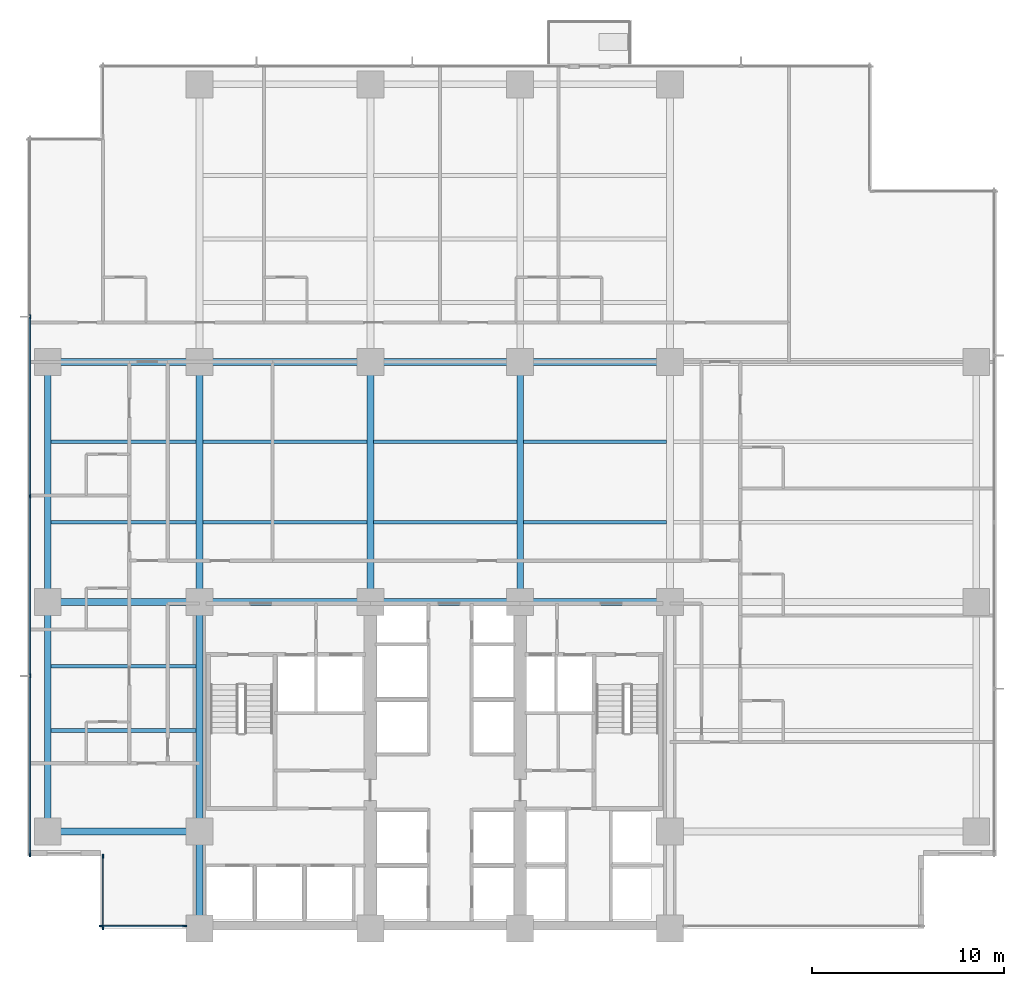
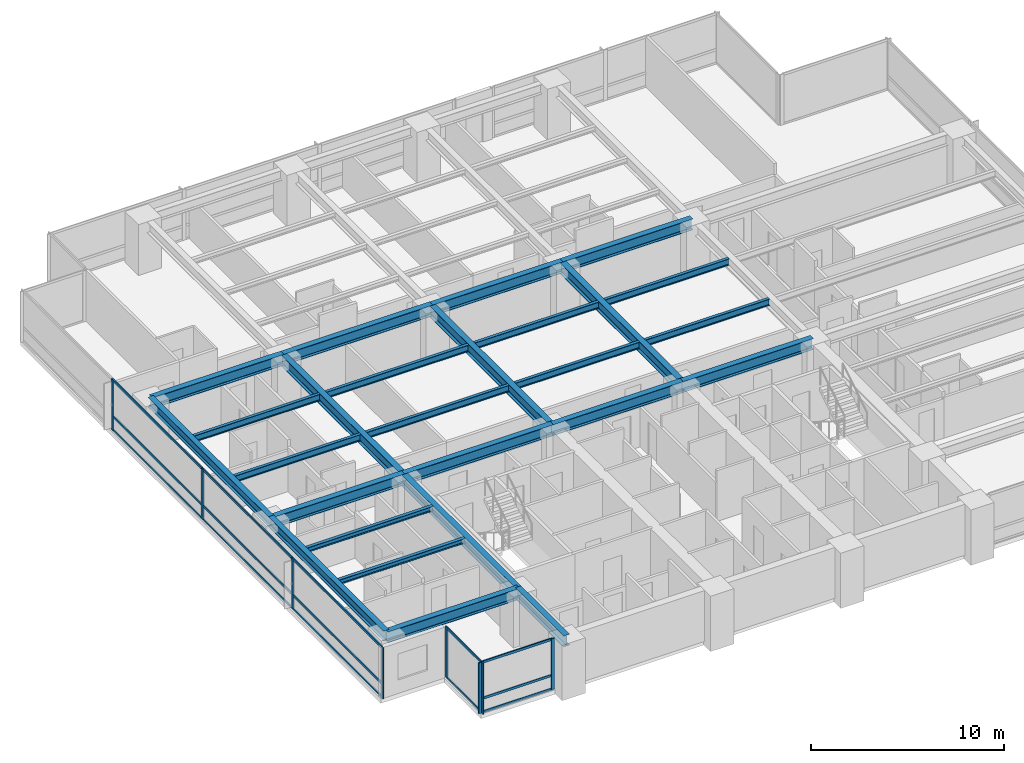
# One storey, part 2 of 16: 26 beams, 22 members, 3 elements without a shape of their own.
"""IFC4 building model written with IfcOpenShell, lengths in metres."""

from ifc_helpers import new_model, si_unit, direction, frame, origin, origin_2d, place, context, subcontext, project, spatial, rectangle, i_section, extrude, material, layer, layer_set, material_profile, profile_set, type_object, element, aggregate, save


model = new_model("IFC4")

# Units and contexts
model_context = context("Model", 3, precision=1e-05, world=origin(), true_north=direction((0.0, 1.0)))
body_context = subcontext(model_context, "Body", "Model", "MODEL_VIEW")
ifc_project = project(units=[si_unit("LENGTHUNIT", "METRE"), si_unit("AREAUNIT", "SQUARE_METRE"), si_unit("VOLUMEUNIT", "CUBIC_METRE"), si_unit("PLANEANGLEUNIT", "RADIAN"), si_unit("MASSUNIT", "GRAM", prefix="KILO")], contexts=[model_context])

# Site, building, storey
site_placement = place(None, origin())
site = spatial("IfcSite", under=ifc_project, at=site_placement, CompositionType="ELEMENT")
building_placement = place(site_placement, origin())
building = spatial("IfcBuilding", under=site, at=building_placement, Name="Qalmaran Belvedere Hotel", CompositionType="ELEMENT")
storey_placement = place(building_placement, frame((0.0, 0.0, 64.89990234375)))
storey = spatial("IfcBuildingStorey", under=building, at=storey_placement, Name="L16", CompositionType="ELEMENT", Elevation=64.89990234375)

# Beams
ifc_material_1 = material(Name="Steel S355JR", Category="steel")
ifc_material_profile_1 = material_profile(ifc_material_1, i_section(OverallWidth=0.202880859375, OverallDepth=0.302978515625, WebThickness=0.007568359375, FlangeThickness=0.01318359375, FilletRadius=0.012939453125, at=origin_2d()), Name="W310X60")
ifc_profile_set_1 = profile_set([ifc_material_profile_1], Name="Steel S355JR")
beam_type_1 = type_object("IfcBeamType", Name="BM-JST-W310X60", PredefinedType="JOIST", material=ifc_profile_set_1)
for number, where, z_axis, x_axis, name in (
    (1, (12.5615234375, 13.800048828125, 3.068603515625), (1.0, 0.0, 0.0), (0.0, 1.0, 0.0), "L16 West Wing Joist 038"),
    (2, (12.5615234375, 17.14990234375, 3.068603515625), (1.0, 0.0, 0.0), (0.0, 1.0, 0.0), "L16 West Wing Joist 040"),
):
    element("IfcBeam", number, at=place(storey_placement, frame(where, z_axis=z_axis, x_axis=x_axis)), inside=storey, type_object=beam_type_1, Name=name, PredefinedType="JOIST", context=body_context, shape_type="SweptSolid", body=[
        extrude(i_section(OverallWidth=0.202880859375, OverallDepth=0.302978515625, WebThickness=0.007568359375, FlangeThickness=0.01318359375, FilletRadius=0.012939453125, at=origin_2d()), origin(), (0.0, 0.0, 1.0), 7.56298828125),
    ])
ifc_material_profile_2 = material_profile(ifc_material_1, i_section(OverallWidth=0.180908203125, OverallDepth=0.4169921875, WebThickness=0.010986328125, FlangeThickness=0.018310546875, FilletRadius=0.014892578125, at=origin_2d()), Name="W410X85")
ifc_profile_set_2 = profile_set([ifc_material_profile_2], Name="Steel S355JR")
beam_type_2 = type_object("IfcBeamType", Name="BM-SB1-W410X85", PredefinedType="BEAM", material=ifc_profile_set_2)
beam_1_placement = place(storey_placement, frame((12.5615234375, 24.64990234375, 3.01171875), z_axis=(1.0, 0.0, 0.0), x_axis=(0.0, 1.0, 0.0)))
element("IfcBeam", 3, at=beam_1_placement, inside=storey, type_object=beam_type_2, Name="L16 West Secondary Beam 028", PredefinedType="BEAM", context=body_context, shape_type="SweptSolid", body=[
    extrude(i_section(OverallWidth=0.180908203125, OverallDepth=0.4169921875, WebThickness=0.010986328125, FlangeThickness=0.018310546875, FilletRadius=0.014892578125, at=origin_2d()), origin(), (0.0, 0.0, 1.0), 7.56298828125),
])
beam_2_placement = place(storey_placement, frame((20.4755859375, 24.64990234375, 3.01171875), z_axis=(1.0, 0.0, 0.0), x_axis=(0.0, 1.0, 0.0)))
element("IfcBeam", 4, at=beam_2_placement, inside=storey, type_object=beam_type_2, Name="L16 Secondary Floor Beam 029", PredefinedType="BEAM", context=body_context, shape_type="SweptSolid", body=[
    extrude(i_section(OverallWidth=0.180908203125, OverallDepth=0.4169921875, WebThickness=0.010986328125, FlangeThickness=0.018310546875, FilletRadius=0.014892578125, at=origin_2d()), origin(), (0.0, 0.0, 1.0), 8.548828125),
])
for number, where, z_axis, x_axis, name in (
    (5, (29.37548828125, 24.64990234375, 3.01171875), (1.0, 0.0, 0.0), (0.0, 1.0, 0.0), "L16 Secondary Floor Beam 030"),
    (6, (37.175537109375, 24.64990234375, 3.01171875), (1.0, 0.0, 0.0), (0.0, 1.0, 0.0), "L16 Secondary Floor Beam 031"),
):
    element("IfcBeam", number, at=place(storey_placement, frame(where, z_axis=z_axis, x_axis=x_axis)), inside=storey, type_object=beam_type_2, Name=name, PredefinedType="BEAM", context=body_context, shape_type="SweptSolid", body=[
        extrude(i_section(OverallWidth=0.180908203125, OverallDepth=0.4169921875, WebThickness=0.010986328125, FlangeThickness=0.018310546875, FilletRadius=0.014892578125, at=origin_2d()), origin(), (0.0, 0.0, 1.0), 7.448974609375),
    ])
beam_3_placement = place(storey_placement, frame((12.5615234375, 28.85009765625, 3.01171875), z_axis=(1.0, 0.0, 0.0), x_axis=(0.0, 1.0, 0.0)))
element("IfcBeam", 7, at=beam_3_placement, inside=storey, type_object=beam_type_2, Name="L16 West Secondary Beam 033", PredefinedType="BEAM", context=body_context, shape_type="SweptSolid", body=[
    extrude(i_section(OverallWidth=0.180908203125, OverallDepth=0.4169921875, WebThickness=0.010986328125, FlangeThickness=0.018310546875, FilletRadius=0.014892578125, at=origin_2d()), origin(), (0.0, 0.0, 1.0), 7.56298828125),
])
beam_4_placement = place(storey_placement, frame((20.4755859375, 28.85009765625, 3.01171875), z_axis=(1.0, 0.0, 0.0), x_axis=(0.0, 1.0, 0.0)))
element("IfcBeam", 8, at=beam_4_placement, inside=storey, type_object=beam_type_2, Name="L16 Secondary Floor Beam 034", PredefinedType="BEAM", context=body_context, shape_type="SweptSolid", body=[
    extrude(i_section(OverallWidth=0.180908203125, OverallDepth=0.4169921875, WebThickness=0.010986328125, FlangeThickness=0.018310546875, FilletRadius=0.014892578125, at=origin_2d()), origin(), (0.0, 0.0, 1.0), 8.548828125),
])
for number, where, z_axis, x_axis, name in (
    (9, (29.37548828125, 28.85009765625, 3.01171875), (1.0, 0.0, 0.0), (0.0, 1.0, 0.0), "L16 Secondary Floor Beam 035"),
    (10, (37.175537109375, 28.85009765625, 3.01171875), (1.0, 0.0, 0.0), (0.0, 1.0, 0.0), "L16 Secondary Floor Beam 036"),
):
    element("IfcBeam", number, at=place(storey_placement, frame(where, z_axis=z_axis, x_axis=x_axis)), inside=storey, type_object=beam_type_2, Name=name, PredefinedType="BEAM", context=body_context, shape_type="SweptSolid", body=[
        extrude(i_section(OverallWidth=0.180908203125, OverallDepth=0.4169921875, WebThickness=0.010986328125, FlangeThickness=0.018310546875, FilletRadius=0.014892578125, at=origin_2d()), origin(), (0.0, 0.0, 1.0), 7.448974609375),
    ])
ifc_material_profile_3 = material_profile(ifc_material_1, i_section(OverallWidth=0.326904296875, OverallDepth=0.6220703125, WebThickness=0.015380859375, FlangeThickness=0.0244140625, FilletRadius=0.02001953125, at=origin_2d()), Name="W610X195")
ifc_profile_set_3 = profile_set([ifc_material_profile_3], Name="Steel S355JR")
beam_type_3 = type_object("IfcBeamType", Name="BM-SP1-W610X195", PredefinedType="SPANDREL", material=ifc_profile_set_3)
beam_5_placement = place(storey_placement, frame((12.39990234375, 8.550048828125, 2.9091796875), z_axis=(0.0, 1.0, 0.0), x_axis=(-1.0, 0.0, 0.0)))
element("IfcBeam", 11, at=beam_5_placement, inside=storey, type_object=beam_type_3, Name="L16 Perimeter Spandrel 01", PredefinedType="SPANDREL", context=body_context, shape_type="SweptSolid", body=[
    extrude(i_section(OverallWidth=0.326904296875, OverallDepth=0.6220703125, WebThickness=0.015380859375, FlangeThickness=0.0244140625, FilletRadius=0.02001953125, at=origin_2d()), origin(), (0.0, 0.0, 1.0), 11.949951171875),
])
beam_6_placement = place(storey_placement, frame((12.39990234375, 20.5, 2.9091796875), z_axis=(0.0, 1.0, 0.0), x_axis=(-1.0, 0.0, 0.0)))
element("IfcBeam", 12, at=beam_6_placement, inside=storey, type_object=beam_type_3, Name="L16 Perimeter Spandrel 02", PredefinedType="SPANDREL", context=body_context, shape_type="SweptSolid", body=[
    extrude(i_section(OverallWidth=0.326904296875, OverallDepth=0.6220703125, WebThickness=0.015380859375, FlangeThickness=0.0244140625, FilletRadius=0.02001953125, at=origin_2d()), origin(), (0.0, 0.0, 1.0), 12.5),
])
ifc_material_profile_4 = material_profile(ifc_material_1, i_section(OverallWidth=0.35498046875, OverallDepth=0.695068359375, WebThickness=0.015380859375, FlangeThickness=0.02490234375, FilletRadius=0.02197265625, at=origin_2d()), Name="W690X217")
ifc_profile_set_4 = profile_set([ifc_material_profile_4], Name="Steel S355JR")
beam_type_4 = type_object("IfcBeamType", Name="BM-Z1-W690X217", PredefinedType="USERDEFINED", material=ifc_profile_set_4)
beam_7_placement = place(storey_placement, frame((20.300048828125, 20.5, 2.87255859375), z_axis=(1.0, 0.0, 0.0), x_axis=(0.0, 1.0, 0.0)))
element("IfcBeam", 13, at=beam_7_placement, inside=storey, type_object=beam_type_4, Name="L16 Interior E-W Girder 08", ObjectType="GIRDER", PredefinedType="USERDEFINED", context=body_context, shape_type="SweptSolid", body=[
    extrude(i_section(OverallWidth=0.35498046875, OverallDepth=0.695068359375, WebThickness=0.015380859375, FlangeThickness=0.02490234375, FilletRadius=0.02197265625, at=origin_2d()), origin(), (0.0, 0.0, 1.0), 8.89990234375),
])
for number, where, z_axis, x_axis, name in (
    (14, (29.199951171875, 20.5, 2.87255859375), (1.0, 0.0, 0.0), (0.0, 1.0, 0.0), "L16 Interior E-W Girder 09"),
    (15, (37.0, 20.5, 2.87255859375), (1.0, 0.0, 0.0), (0.0, 1.0, 0.0), "L16 Interior E-W Girder 10"),
):
    element("IfcBeam", number, at=place(storey_placement, frame(where, z_axis=z_axis, x_axis=x_axis)), inside=storey, type_object=beam_type_4, Name=name, ObjectType="GIRDER", PredefinedType="USERDEFINED", context=body_context, shape_type="SweptSolid", body=[
        extrude(i_section(OverallWidth=0.35498046875, OverallDepth=0.695068359375, WebThickness=0.015380859375, FlangeThickness=0.02490234375, FilletRadius=0.02197265625, at=origin_2d()), origin(), (0.0, 0.0, 1.0), 7.800048828125),
    ])
beam_8_placement = place(storey_placement, frame((20.300048828125, 33.0, 2.87255859375), z_axis=(1.0, 0.0, 0.0), x_axis=(0.0, 1.0, 0.0)))
element("IfcBeam", 16, at=beam_8_placement, inside=storey, type_object=beam_type_4, Name="L16 Interior E-W Girder 11", ObjectType="GIRDER", PredefinedType="USERDEFINED", context=body_context, shape_type="SweptSolid", body=[
    extrude(i_section(OverallWidth=0.35498046875, OverallDepth=0.695068359375, WebThickness=0.015380859375, FlangeThickness=0.02490234375, FilletRadius=0.02197265625, at=origin_2d()), origin(), (0.0, 0.0, 1.0), 8.89990234375),
])
for number, where, z_axis, x_axis, name in (
    (17, (29.199951171875, 33.0, 2.87255859375), (1.0, 0.0, 0.0), (0.0, 1.0, 0.0), "L16 Interior E-W Girder 12"),
    (18, (37.0, 33.0, 2.87255859375), (1.0, 0.0, 0.0), (0.0, 1.0, 0.0), "L16 Interior E-W Girder 13"),
):
    element("IfcBeam", number, at=place(storey_placement, frame(where, z_axis=z_axis, x_axis=x_axis)), inside=storey, type_object=beam_type_4, Name=name, ObjectType="GIRDER", PredefinedType="USERDEFINED", context=body_context, shape_type="SweptSolid", body=[
        extrude(i_section(OverallWidth=0.35498046875, OverallDepth=0.695068359375, WebThickness=0.015380859375, FlangeThickness=0.02490234375, FilletRadius=0.02197265625, at=origin_2d()), origin(), (0.0, 0.0, 1.0), 7.800048828125),
    ])
for number, where, z_axis, x_axis, name in (
    (19, (20.300048828125, 20.5, 2.87255859375), (0.0, 1.0, 0.0), (-1.0, 0.0, 0.0), "L16 Mid-Plate N-S Girder 14"),
    (20, (29.199951171875, 20.5, 2.87255859375), (0.0, 1.0, 0.0), (-1.0, 0.0, 0.0), "L16 Mid-Plate N-S Girder 16"),
    (21, (37.0, 20.5, 2.87255859375), (0.0, 1.0, 0.0), (-1.0, 0.0, 0.0), "L16 Mid-Plate N-S Girder 18"),
):
    element("IfcBeam", number, at=place(storey_placement, frame(where, z_axis=z_axis, x_axis=x_axis)), inside=storey, type_object=beam_type_4, Name=name, ObjectType="GIRDER", PredefinedType="USERDEFINED", context=body_context, shape_type="SweptSolid", body=[
        extrude(i_section(OverallWidth=0.35498046875, OverallDepth=0.695068359375, WebThickness=0.015380859375, FlangeThickness=0.02490234375, FilletRadius=0.02197265625, at=origin_2d()), origin(), (0.0, 0.0, 1.0), 12.5),
    ])
for number, where, z_axis, x_axis, name in (
    (22, (12.39990234375, 8.550048828125, 2.87255859375), (1.0, 0.0, 0.0), (0.0, 1.0, 0.0), "L16 West Wing Girder 22"),
    (23, (12.39990234375, 20.5, 2.87255859375), (1.0, 0.0, 0.0), (0.0, 1.0, 0.0), "L16 West Wing Girder 23"),
    (24, (12.39990234375, 33.0, 2.87255859375), (1.0, 0.0, 0.0), (0.0, 1.0, 0.0), "L16 West Wing Girder 24"),
):
    element("IfcBeam", number, at=place(storey_placement, frame(where, z_axis=z_axis, x_axis=x_axis)), inside=storey, type_object=beam_type_4, Name=name, ObjectType="GIRDER", PredefinedType="USERDEFINED", context=body_context, shape_type="SweptSolid", body=[
        extrude(i_section(OverallWidth=0.35498046875, OverallDepth=0.695068359375, WebThickness=0.015380859375, FlangeThickness=0.02490234375, FilletRadius=0.02197265625, at=origin_2d()), origin(), (0.0, 0.0, 1.0), 7.900146484375),
    ])
beam_9_placement = place(storey_placement, frame((20.300048828125, 3.5, 2.87255859375), z_axis=(0.0, 1.0, 0.0), x_axis=(-1.0, 0.0, 0.0)))
element("IfcBeam", 25, at=beam_9_placement, inside=storey, type_object=beam_type_4, Name="L16 West Core Edge Girder A", ObjectType="GIRDER", PredefinedType="USERDEFINED", context=body_context, shape_type="SweptSolid", body=[
    extrude(i_section(OverallWidth=0.35498046875, OverallDepth=0.695068359375, WebThickness=0.015380859375, FlangeThickness=0.02490234375, FilletRadius=0.02197265625, at=origin_2d()), origin(), (0.0, 0.0, 1.0), 5.050048828125),
])
beam_10_placement = place(storey_placement, frame((20.300048828125, 8.550048828125, 2.87255859375), z_axis=(0.0, 1.0, 0.0), x_axis=(-1.0, 0.0, 0.0)))
element("IfcBeam", 26, at=beam_10_placement, inside=storey, type_object=beam_type_4, Name="L16 West Core Edge Girder B", ObjectType="GIRDER", PredefinedType="USERDEFINED", context=body_context, shape_type="SweptSolid", body=[
    extrude(i_section(OverallWidth=0.35498046875, OverallDepth=0.695068359375, WebThickness=0.015380859375, FlangeThickness=0.02490234375, FilletRadius=0.02197265625, at=origin_2d()), origin(), (0.0, 0.0, 1.0), 11.949951171875),
])

# Curtain wall, members
ifc_material_2 = material(Name="Anodised Bronze Aluminium", Category="aluminium")
ifc_layer = layer(ifc_material_2, 0.2099609375, Name="Anodised Bronze Aluminium")
ifc_layer_set = layer_set([ifc_layer], Name="Anodised Bronze Aluminium")
curtain_wall_type = type_object("IfcCurtainWallType", Name="CW2-TOWER-LOWER", PredefinedType="NOTDEFINED", material=ifc_layer_set)
curtain_wall_1_placement = place(storey_placement, origin())
curtain_wall_1 = element("IfcCurtainWall", 27, at=curtain_wall_1_placement, inside=storey, type_object=curtain_wall_type, Name="L16 Curtain Wall CW2", PredefinedType="NOTDEFINED")
ifc_material_profile_5 = material_profile(ifc_material_2, rectangle(XDim=0.074951171875, YDim=0.219970703125, at=origin_2d()), Name="CWM75X220")
ifc_profile_set_5 = profile_set([ifc_material_profile_5], Name="Anodised Bronze Aluminium")
member_type_1 = type_object("IfcMemberType", Name="CWM-75X220", PredefinedType="MULLION", material=ifc_profile_set_5)
member_1_placement = place(storey_placement, frame((15.1875, 3.6201171875, 0.0), z_axis=(0.0, 0.0, 1.0), x_axis=(0.0, 1.0, 0.0)))
member_1 = element("IfcMember", 28, at=member_1_placement, type_object=member_type_1, Name="CW2 mullion 1", PredefinedType="MULLION", context=body_context, shape_type="SweptSolid", body=[
    extrude(rectangle(XDim=0.074951171875, YDim=0.219970703125, at=origin_2d()), origin(), (0.0, 0.0, 1.0), 3.22021484375),
])
member_2_placement = place(storey_placement, frame((19.5224609375, 3.6201171875, 0.0), z_axis=(0.0, 0.0, 1.0), x_axis=(0.0, 1.0, 0.0)))
member_2 = element("IfcMember", 29, at=member_2_placement, type_object=member_type_1, Name="CW2 mullion 2", PredefinedType="MULLION", context=body_context, shape_type="SweptSolid", body=[
    extrude(rectangle(XDim=0.074951171875, YDim=0.219970703125, at=origin_2d()), origin(), (0.0, 0.0, 1.0), 3.22021484375),
])

curtain_wall_2_placement = place(storey_placement, origin())
curtain_wall_2 = element("IfcCurtainWall", 30, at=curtain_wall_2_placement, inside=storey, type_object=curtain_wall_type, Name="L16 Curtain Wall CW2", PredefinedType="NOTDEFINED")
member_3_placement = place(storey_placement, frame((11.469970703125, 35.35009765625, 0.0), z_axis=(0.0, 0.0, 1.0), x_axis=(1.0, 0.0, 0.0)))
member_3 = element("IfcMember", 31, at=member_3_placement, type_object=member_type_1, Name="CW2 mullion 2", PredefinedType="MULLION", context=body_context, shape_type="SweptSolid", body=[
    extrude(rectangle(XDim=0.074951171875, YDim=0.219970703125, at=origin_2d()), origin(), (0.0, 0.0, 1.0), 3.22021484375),
])
member_4_placement = place(storey_placement, frame((11.469970703125, 26.0, 0.0), z_axis=(0.0, 0.0, 1.0), x_axis=(1.0, 0.0, 0.0)))
member_4 = element("IfcMember", 32, at=member_4_placement, type_object=member_type_1, Name="CW2 mullion 3", PredefinedType="MULLION", context=body_context, shape_type="SweptSolid", body=[
    extrude(rectangle(XDim=0.074951171875, YDim=0.219970703125, at=origin_2d()), origin(), (0.0, 0.0, 1.0), 3.22021484375),
])
member_5_placement = place(storey_placement, frame((11.469970703125, 16.64990234375, 0.0), z_axis=(0.0, 0.0, 1.0), x_axis=(1.0, 0.0, 0.0)))
member_5 = element("IfcMember", 33, at=member_5_placement, type_object=member_type_1, Name="CW2 mullion 4", PredefinedType="MULLION", context=body_context, shape_type="SweptSolid", body=[
    extrude(rectangle(XDim=0.074951171875, YDim=0.219970703125, at=origin_2d()), origin(), (0.0, 0.0, 1.0), 3.22021484375),
])
member_6_placement = place(storey_placement, frame((11.469970703125, 7.33740234375, 0.0), z_axis=(0.0, 0.0, 1.0), x_axis=(1.0, 0.0, 0.0)))
member_6 = element("IfcMember", 34, at=member_6_placement, type_object=member_type_1, Name="CW2 mullion 5", PredefinedType="MULLION", context=body_context, shape_type="SweptSolid", body=[
    extrude(rectangle(XDim=0.074951171875, YDim=0.219970703125, at=origin_2d()), origin(), (0.0, 0.0, 1.0), 3.22021484375),
])

curtain_wall_3_placement = place(storey_placement, origin())
curtain_wall_3 = element("IfcCurtainWall", 35, at=curtain_wall_3_placement, inside=storey, type_object=curtain_wall_type, Name="L16 Curtain Wall CW2", PredefinedType="NOTDEFINED")
member_7_placement = place(storey_placement, frame((15.27001953125, 7.262451171875, 0.0), z_axis=(0.0, 0.0, 1.0), x_axis=(1.0, 0.0, 0.0)))
member_7 = element("IfcMember", 36, at=member_7_placement, type_object=member_type_1, Name="CW2 mullion 1", PredefinedType="MULLION", context=body_context, shape_type="SweptSolid", body=[
    extrude(rectangle(XDim=0.074951171875, YDim=0.219970703125, at=origin_2d()), origin(), (0.0, 0.0, 1.0), 3.22021484375),
])
member_8_placement = place(storey_placement, frame((15.27001953125, 3.53759765625, 0.0), z_axis=(0.0, 0.0, 1.0), x_axis=(1.0, 0.0, 0.0)))
member_8 = element("IfcMember", 37, at=member_8_placement, type_object=member_type_1, Name="CW2 mullion 2", PredefinedType="MULLION", context=body_context, shape_type="SweptSolid", body=[
    extrude(rectangle(XDim=0.074951171875, YDim=0.219970703125, at=origin_2d()), origin(), (0.0, 0.0, 1.0), 3.22021484375),
])

# Member
ifc_material_profile_6 = material_profile(ifc_material_2, rectangle(XDim=0.070068359375, YDim=0.14990234375, at=origin_2d()), Name="CWT70X150")
ifc_profile_set_6 = profile_set([ifc_material_profile_6], Name="Anodised Bronze Aluminium")
member_type_2 = type_object("IfcMemberType", Name="CWT-70X150", PredefinedType="USERDEFINED", material=ifc_profile_set_6)
member_9_placement = place(storey_placement, frame((15.22509765625, 3.6201171875, 0.03515625), z_axis=(1.0, 0.0, 0.0), x_axis=(0.0, 1.0, 0.0)))
member_9 = element("IfcMember", 38, at=member_9_placement, type_object=member_type_2, Name="CW2 transom 1.1", ObjectType="TRANSOM", PredefinedType="USERDEFINED", context=body_context, shape_type="SweptSolid", body=[
    extrude(rectangle(XDim=0.070068359375, YDim=0.14990234375, at=origin_2d()), origin(), (0.0, 0.0, 1.0), 4.260009765625),
])

member_10_placement = place(storey_placement, frame((15.22509765625, 3.6201171875, 0.901611328125), z_axis=(1.0, 0.0, 0.0), x_axis=(0.0, 1.0, 0.0)))
member_10 = element("IfcMember", 39, at=member_10_placement, type_object=member_type_2, Name="CW2 transom 1.2", ObjectType="TRANSOM", PredefinedType="USERDEFINED", context=body_context, shape_type="SweptSolid", body=[
    extrude(rectangle(XDim=0.070068359375, YDim=0.14990234375, at=origin_2d()), origin(), (0.0, 0.0, 1.0), 4.260009765625),
])

member_11_placement = place(storey_placement, frame((15.22509765625, 3.6201171875, 3.18505859375), z_axis=(1.0, 0.0, 0.0), x_axis=(0.0, 1.0, 0.0)))
member_11 = element("IfcMember", 40, at=member_11_placement, type_object=member_type_2, Name="CW2 transom 1.3", ObjectType="TRANSOM", PredefinedType="USERDEFINED", context=body_context, shape_type="SweptSolid", body=[
    extrude(rectangle(XDim=0.070068359375, YDim=0.14990234375, at=origin_2d()), origin(), (0.0, 0.0, 1.0), 4.260009765625),
])

aggregate(curtain_wall_1, [member_1, member_2, member_9, member_10, member_11])

member_12_placement = place(storey_placement, frame((11.469970703125, 35.3125, 0.03515625), z_axis=(0.0, -1.0, 0.0), x_axis=(1.0, 0.0, 0.0)))
member_12 = element("IfcMember", 41, at=member_12_placement, type_object=member_type_2, Name="CW2 transom 2.1", ObjectType="TRANSOM", PredefinedType="USERDEFINED", context=body_context, shape_type="SweptSolid", body=[
    extrude(rectangle(XDim=0.070068359375, YDim=0.14990234375, at=origin_2d()), origin(), (0.0, 0.0, 1.0), 9.27490234375),
])

member_13_placement = place(storey_placement, frame((11.469970703125, 35.3125, 0.901611328125), z_axis=(0.0, -1.0, 0.0), x_axis=(1.0, 0.0, 0.0)))
member_13 = element("IfcMember", 42, at=member_13_placement, type_object=member_type_2, Name="CW2 transom 2.2", ObjectType="TRANSOM", PredefinedType="USERDEFINED", context=body_context, shape_type="SweptSolid", body=[
    extrude(rectangle(XDim=0.070068359375, YDim=0.14990234375, at=origin_2d()), origin(), (0.0, 0.0, 1.0), 9.27490234375),
])

member_14_placement = place(storey_placement, frame((11.469970703125, 35.3125, 3.18505859375), z_axis=(0.0, -1.0, 0.0), x_axis=(1.0, 0.0, 0.0)))
member_14 = element("IfcMember", 43, at=member_14_placement, type_object=member_type_2, Name="CW2 transom 2.3", ObjectType="TRANSOM", PredefinedType="USERDEFINED", context=body_context, shape_type="SweptSolid", body=[
    extrude(rectangle(XDim=0.070068359375, YDim=0.14990234375, at=origin_2d()), origin(), (0.0, 0.0, 1.0), 9.27490234375),
])

member_15_placement = place(storey_placement, frame((11.469970703125, 25.96240234375, 0.03515625), z_axis=(0.0, -1.0, 0.0), x_axis=(1.0, 0.0, 0.0)))
member_15 = element("IfcMember", 44, at=member_15_placement, type_object=member_type_2, Name="CW2 transom 3.1", ObjectType="TRANSOM", PredefinedType="USERDEFINED", context=body_context, shape_type="SweptSolid", body=[
    extrude(rectangle(XDim=0.070068359375, YDim=0.14990234375, at=origin_2d()), origin(), (0.0, 0.0, 1.0), 9.27490234375),
])

member_16_placement = place(storey_placement, frame((11.469970703125, 25.96240234375, 0.901611328125), z_axis=(0.0, -1.0, 0.0), x_axis=(1.0, 0.0, 0.0)))
member_16 = element("IfcMember", 45, at=member_16_placement, type_object=member_type_2, Name="CW2 transom 3.2", ObjectType="TRANSOM", PredefinedType="USERDEFINED", context=body_context, shape_type="SweptSolid", body=[
    extrude(rectangle(XDim=0.070068359375, YDim=0.14990234375, at=origin_2d()), origin(), (0.0, 0.0, 1.0), 9.27490234375),
])

member_17_placement = place(storey_placement, frame((11.469970703125, 25.96240234375, 3.18505859375), z_axis=(0.0, -1.0, 0.0), x_axis=(1.0, 0.0, 0.0)))
member_17 = element("IfcMember", 46, at=member_17_placement, type_object=member_type_2, Name="CW2 transom 3.3", ObjectType="TRANSOM", PredefinedType="USERDEFINED", context=body_context, shape_type="SweptSolid", body=[
    extrude(rectangle(XDim=0.070068359375, YDim=0.14990234375, at=origin_2d()), origin(), (0.0, 0.0, 1.0), 9.27490234375),
])

member_18_placement = place(storey_placement, frame((11.469970703125, 16.612548828125, 0.03515625), z_axis=(0.0, -1.0, 0.0), x_axis=(1.0, 0.0, 0.0)))
member_18 = element("IfcMember", 47, at=member_18_placement, type_object=member_type_2, Name="CW2 transom 4.1", ObjectType="TRANSOM", PredefinedType="USERDEFINED", context=body_context, shape_type="SweptSolid", body=[
    extrude(rectangle(XDim=0.070068359375, YDim=0.14990234375, at=origin_2d()), origin(), (0.0, 0.0, 1.0), 9.237548828125),
])

member_19_placement = place(storey_placement, frame((11.469970703125, 16.612548828125, 0.901611328125), z_axis=(0.0, -1.0, 0.0), x_axis=(1.0, 0.0, 0.0)))
member_19 = element("IfcMember", 48, at=member_19_placement, type_object=member_type_2, Name="CW2 transom 4.2", ObjectType="TRANSOM", PredefinedType="USERDEFINED", context=body_context, shape_type="SweptSolid", body=[
    extrude(rectangle(XDim=0.070068359375, YDim=0.14990234375, at=origin_2d()), origin(), (0.0, 0.0, 1.0), 9.237548828125),
])

member_20_placement = place(storey_placement, frame((11.469970703125, 16.612548828125, 3.18505859375), z_axis=(0.0, -1.0, 0.0), x_axis=(1.0, 0.0, 0.0)))
member_20 = element("IfcMember", 49, at=member_20_placement, type_object=member_type_2, Name="CW2 transom 4.3", ObjectType="TRANSOM", PredefinedType="USERDEFINED", context=body_context, shape_type="SweptSolid", body=[
    extrude(rectangle(XDim=0.070068359375, YDim=0.14990234375, at=origin_2d()), origin(), (0.0, 0.0, 1.0), 9.237548828125),
])

aggregate(curtain_wall_2, [member_3, member_4, member_5, member_6, member_12, member_13, member_14, member_15, member_16, member_17, member_18, member_19, member_20])

member_21_placement = place(storey_placement, frame((15.27001953125, 7.22509765625, 0.03515625), z_axis=(0.0, -1.0, 0.0), x_axis=(1.0, 0.0, 0.0)))
member_21 = element("IfcMember", 50, at=member_21_placement, type_object=member_type_2, Name="CW2 transom 1.1", ObjectType="TRANSOM", PredefinedType="USERDEFINED", context=body_context, shape_type="SweptSolid", body=[
    extrude(rectangle(XDim=0.070068359375, YDim=0.14990234375, at=origin_2d()), origin(), (0.0, 0.0, 1.0), 3.650146484375),
])

member_22_placement = place(storey_placement, frame((15.27001953125, 7.22509765625, 3.18505859375), z_axis=(0.0, -1.0, 0.0), x_axis=(1.0, 0.0, 0.0)))
member_22 = element("IfcMember", 51, at=member_22_placement, type_object=member_type_2, Name="CW2 transom 1.2", ObjectType="TRANSOM", PredefinedType="USERDEFINED", context=body_context, shape_type="SweptSolid", body=[
    extrude(rectangle(XDim=0.070068359375, YDim=0.14990234375, at=origin_2d()), origin(), (0.0, 0.0, 1.0), 3.650146484375),
])

aggregate(curtain_wall_3, [member_7, member_8, member_21, member_22])

save(model, "model.ifc")
